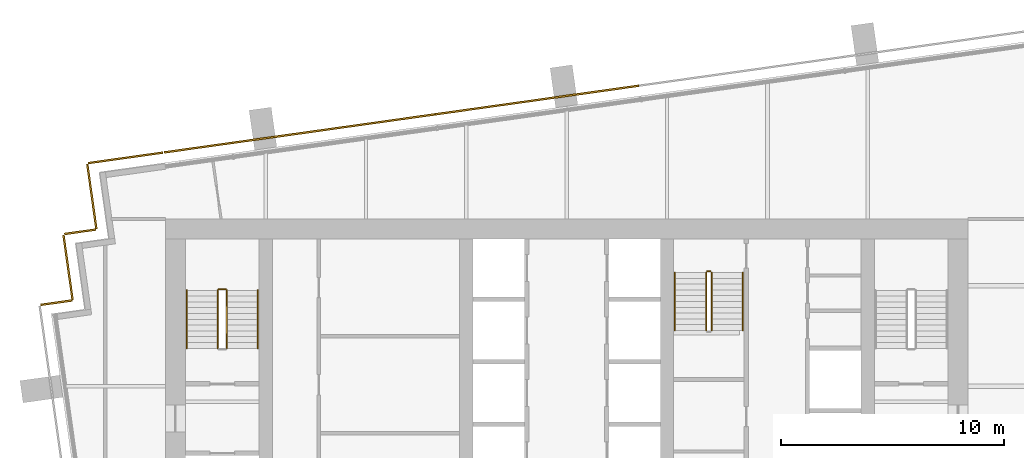
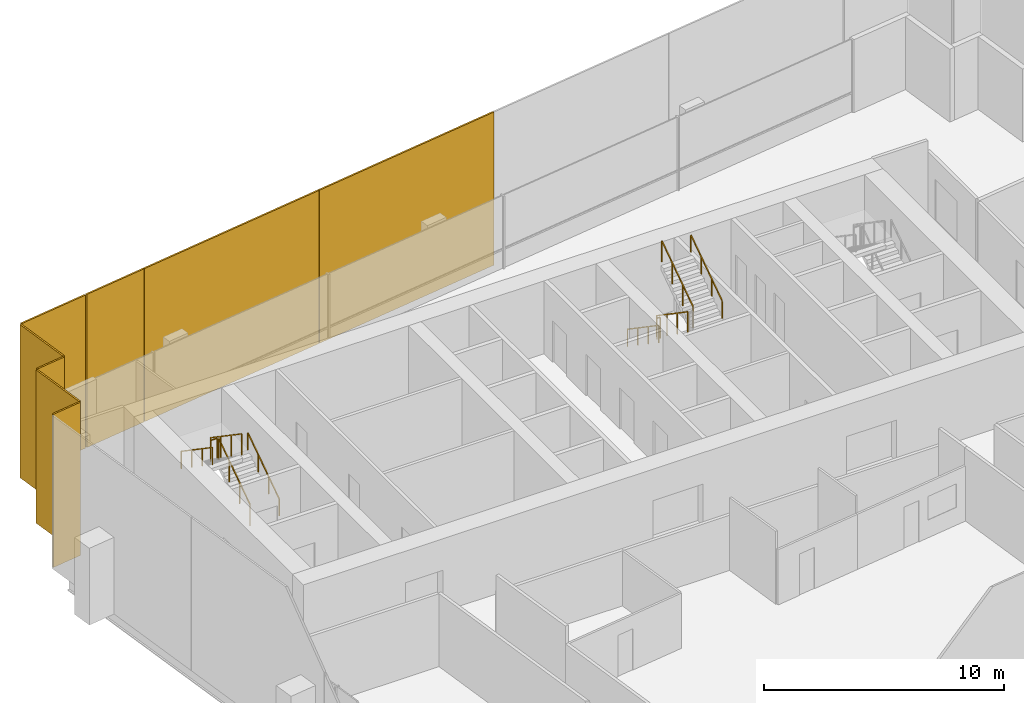
# One storey, part 16 of 17: 10 railings, 8 coverings.
"""IFC4 building model written with IfcOpenShell, lengths in metres."""

from ifc_helpers import new_model, si_unit, direction, frame, origin, origin_2d, place, context, subcontext, project, spatial, rectangle, extrude, material, layer, layer_set, type_object, element, save


model = new_model("IFC4")

# Units and contexts
model_context = context("Model", 3, precision=1e-05, world=origin(), true_north=direction((0.0, 1.0)))
body_context = subcontext(model_context, "Body", "Model", "MODEL_VIEW")
ifc_project = project(units=[si_unit("LENGTHUNIT", "METRE"), si_unit("AREAUNIT", "SQUARE_METRE"), si_unit("VOLUMEUNIT", "CUBIC_METRE"), si_unit("PLANEANGLEUNIT", "RADIAN"), si_unit("MASSUNIT", "GRAM", prefix="KILO")], contexts=[model_context])

# Site, building, storey
site_placement = place(None, origin())
site = spatial("IfcSite", under=ifc_project, at=site_placement, CompositionType="ELEMENT")
building_placement = place(site_placement, origin())
building = spatial("IfcBuilding", under=site, at=building_placement, Name="Rattan Terrace Tower", CompositionType="ELEMENT")
storey_placement = place(building_placement, frame((0.0, 0.0, 213.5)))
storey = spatial("IfcBuildingStorey", under=building, at=storey_placement, Name="L48", CompositionType="ELEMENT", Elevation=213.5)

# Railings
ifc_material_1 = material(Name="Powder-coated steel guard", Category="steel")
railing_type_1 = type_object("IfcRailingType", Name="Core stair guard", PredefinedType="GUARDRAIL", material=ifc_material_1)
railing_1_placement = place(storey_placement, frame((-15.25, 1.699951171875, 0.17724609375)))
element("IfcRailing", 1, at=railing_1_placement, inside=storey, type_object=railing_type_1, Name="L48 S1 stair guard 1", PredefinedType="GUARDRAIL", context=body_context, shape_type="SweptSolid", body=[
    extrude(rectangle(XDim=0.048095703125, YDim=0.048095703125, at=origin_2d()), frame((0.0, 0.0, 1.076171875), z_axis=(0.0, 0.826240473404, 0.563317565952), x_axis=(-1.0, 0.0, 0.0)), (0.0, 0.0, 1.0), 3.14697265625),
    extrude(rectangle(XDim=0.0419921875, YDim=0.0419921875, at=origin_2d()), origin(), (0.0, 0.0, 1.0), 1.052001953125),
    extrude(rectangle(XDim=0.0419921875, YDim=0.0419921875, at=origin_2d()), frame((0.0, 0.86669921875, 0.5908203125)), (0.0, 0.0, 1.0), 1.052001953125),
    extrude(rectangle(XDim=0.0419921875, YDim=0.0419921875, at=origin_2d()), frame((0.0, 1.7333984375, 1.181884765625)), (0.0, 0.0, 1.0), 1.052001953125),
    extrude(rectangle(XDim=0.0419921875, YDim=0.0419921875, at=origin_2d()), frame((0.0, 2.60009765625, 1.772705078125)), (0.0, 0.0, 1.0), 1.052001953125),
])
railing_2_placement = place(storey_placement, frame((-15.300048828125, 4.35009765625, 1.949951171875)))
element("IfcRailing", 2, at=railing_2_placement, inside=storey, type_object=railing_type_1, Name="L48 S1 stair guard 2", PredefinedType="GUARDRAIL", context=body_context, shape_type="SweptSolid", body=[
    extrude(rectangle(XDim=0.048095703125, YDim=0.048095703125, at=origin_2d()), frame((0.0, 0.0, 1.076171875), z_axis=(-1.0, 0.0, 0.0), x_axis=(0.0, -1.0, 0.0)), (0.0, 0.0, 1.0), 0.300048828125),
    extrude(rectangle(XDim=0.0419921875, YDim=0.0419921875, at=origin_2d()), origin(), (0.0, 0.0, 1.0), 1.052001953125),
    extrude(rectangle(XDim=0.0419921875, YDim=0.0419921875, at=origin_2d()), frame((-0.300048828125, 0.0, 0.0)), (0.0, 0.0, 1.0), 1.052001953125),
])
for number, where, name in (
    (3, (-15.64990234375, 4.300048828125, 2.127197265625), "L48 S1 stair guard 3"),
    (4, (6.25, 5.10009765625, 0.17724609375), "L48 S3 stair guard 1"),
):
    element("IfcRailing", number, at=place(storey_placement, frame(where)), inside=storey, type_object=railing_type_1, Name=name, PredefinedType="GUARDRAIL", context=body_context, shape_type="SweptSolid", body=[
        extrude(rectangle(XDim=0.048095703125, YDim=0.048095703125, at=origin_2d()), frame((0.0, 0.0, 1.076171875), z_axis=(0.0, -0.826240473404, 0.563317565952), x_axis=(1.0, 0.0, 0.0)), (0.0, 0.0, 1.0), 3.14697265625),
        extrude(rectangle(XDim=0.0419921875, YDim=0.0419921875, at=origin_2d()), origin(), (0.0, 0.0, 1.0), 1.052001953125),
        extrude(rectangle(XDim=0.0419921875, YDim=0.0419921875, at=origin_2d()), frame((0.0, -0.86669921875, 0.5908203125)), (0.0, 0.0, 1.0), 1.052001953125),
        extrude(rectangle(XDim=0.0419921875, YDim=0.0419921875, at=origin_2d()), frame((0.0, -1.7333984375, 1.181884765625)), (0.0, 0.0, 1.0), 1.052001953125),
        extrude(rectangle(XDim=0.0419921875, YDim=0.0419921875, at=origin_2d()), frame((0.0, -2.60009765625, 1.772705078125)), (0.0, 0.0, 1.0), 1.052001953125),
    ])
railing_3_placement = place(storey_placement, frame((6.5, 2.5, 2.127197265625)))
element("IfcRailing", 5, at=railing_3_placement, inside=storey, type_object=railing_type_1, Name="L48 S3 stair guard 3", PredefinedType="GUARDRAIL", context=body_context, shape_type="SweptSolid", body=[
    extrude(rectangle(XDim=0.048095703125, YDim=0.048095703125, at=origin_2d()), frame((0.0, 0.0, 1.076171875), z_axis=(0.0, 0.826240473404, 0.563317565952), x_axis=(-1.0, 0.0, 0.0)), (0.0, 0.0, 1.0), 3.14697265625),
    extrude(rectangle(XDim=0.0419921875, YDim=0.0419921875, at=origin_2d()), origin(), (0.0, 0.0, 1.0), 1.052001953125),
    extrude(rectangle(XDim=0.0419921875, YDim=0.0419921875, at=origin_2d()), frame((0.0, 0.86669921875, 0.5908203125)), (0.0, 0.0, 1.0), 1.052001953125),
    extrude(rectangle(XDim=0.0419921875, YDim=0.0419921875, at=origin_2d()), frame((0.0, 1.7333984375, 1.181884765625)), (0.0, 0.0, 1.0), 1.052001953125),
    extrude(rectangle(XDim=0.0419921875, YDim=0.0419921875, at=origin_2d()), frame((0.0, 2.60009765625, 1.772705078125)), (0.0, 0.0, 1.0), 1.052001953125),
])
railing_4_placement = place(storey_placement, frame((6.300048828125, 5.14990234375, 0.0)))
element("IfcRailing", 6, at=railing_4_placement, inside=storey, type_object=railing_type_1, Name="L48 S3 stair guard 4", PredefinedType="GUARDRAIL", context=body_context, shape_type="SweptSolid", body=[
    extrude(rectangle(XDim=0.048095703125, YDim=0.048095703125, at=origin_2d()), frame((0.0, 0.0, 1.076171875), z_axis=(1.0, 0.0, 0.0), x_axis=(0.0, 1.0, 0.0)), (0.0, 0.0, 1.0), 0.14990234375),
    extrude(rectangle(XDim=0.0419921875, YDim=0.0419921875, at=origin_2d()), origin(), (0.0, 0.0, 1.0), 1.052001953125),
    extrude(rectangle(XDim=0.0419921875, YDim=0.0419921875, at=origin_2d()), frame((0.14990234375, 0.0, 0.0)), (0.0, 0.0, 1.0), 1.052001953125),
])
ifc_material_2 = material(Name="Powder-coated steel handrail", Category="steel")
railing_type_2 = type_object("IfcRailingType", Name="Core stair handrail", PredefinedType="HANDRAIL", material=ifc_material_2)
railing_5_placement = place(storey_placement, frame((-13.85009765625, 1.699951171875, 0.17724609375)))
element("IfcRailing", 7, at=railing_5_placement, inside=storey, type_object=railing_type_2, Name="L48 S1 stair handrail 1", PredefinedType="HANDRAIL", context=body_context, shape_type="SweptSolid", body=[
    extrude(rectangle(XDim=0.048095703125, YDim=0.048095703125, at=origin_2d()), frame((0.0, 0.0, 0.8759765625), z_axis=(0.0, 0.826240473404, 0.563317565952), x_axis=(-1.0, 0.0, 0.0)), (0.0, 0.0, 1.0), 3.14697265625),
    extrude(rectangle(XDim=0.0419921875, YDim=0.0419921875, at=origin_2d()), origin(), (0.0, 0.0, 1.0), 0.851806640625),
    extrude(rectangle(XDim=0.0419921875, YDim=0.0419921875, at=origin_2d()), frame((0.0, 0.86669921875, 0.5908203125)), (0.0, 0.0, 1.0), 0.851806640625),
    extrude(rectangle(XDim=0.0419921875, YDim=0.0419921875, at=origin_2d()), frame((0.0, 1.7333984375, 1.181884765625)), (0.0, 0.0, 1.0), 0.851806640625),
    extrude(rectangle(XDim=0.0419921875, YDim=0.0419921875, at=origin_2d()), frame((0.0, 2.60009765625, 1.772705078125)), (0.0, 0.0, 1.0), 0.851806640625),
])
for number, where, name in (
    (8, (-17.050048828125, 4.300048828125, 2.127197265625), "L48 S1 stair handrail 2"),
    (9, (4.85009765625, 5.10009765625, 0.17724609375), "L48 S3 stair handrail 1"),
):
    element("IfcRailing", number, at=place(storey_placement, frame(where)), inside=storey, type_object=railing_type_2, Name=name, PredefinedType="HANDRAIL", context=body_context, shape_type="SweptSolid", body=[
        extrude(rectangle(XDim=0.048095703125, YDim=0.048095703125, at=origin_2d()), frame((0.0, 0.0, 0.8759765625), z_axis=(0.0, -0.826240473404, 0.563317565952), x_axis=(1.0, 0.0, 0.0)), (0.0, 0.0, 1.0), 3.14697265625),
        extrude(rectangle(XDim=0.0419921875, YDim=0.0419921875, at=origin_2d()), origin(), (0.0, 0.0, 1.0), 0.851806640625),
        extrude(rectangle(XDim=0.0419921875, YDim=0.0419921875, at=origin_2d()), frame((0.0, -0.86669921875, 0.5908203125)), (0.0, 0.0, 1.0), 0.851806640625),
        extrude(rectangle(XDim=0.0419921875, YDim=0.0419921875, at=origin_2d()), frame((0.0, -1.7333984375, 1.181884765625)), (0.0, 0.0, 1.0), 0.851806640625),
        extrude(rectangle(XDim=0.0419921875, YDim=0.0419921875, at=origin_2d()), frame((0.0, -2.60009765625, 1.772705078125)), (0.0, 0.0, 1.0), 0.851806640625),
    ])
railing_6_placement = place(storey_placement, frame((7.89990234375, 2.5, 2.127197265625)))
element("IfcRailing", 10, at=railing_6_placement, inside=storey, type_object=railing_type_2, Name="L48 S3 stair handrail 2", PredefinedType="HANDRAIL", context=body_context, shape_type="SweptSolid", body=[
    extrude(rectangle(XDim=0.048095703125, YDim=0.048095703125, at=origin_2d()), frame((0.0, 0.0, 0.8759765625), z_axis=(0.0, 0.826240473404, 0.563317565952), x_axis=(-1.0, 0.0, 0.0)), (0.0, 0.0, 1.0), 3.14697265625),
    extrude(rectangle(XDim=0.0419921875, YDim=0.0419921875, at=origin_2d()), origin(), (0.0, 0.0, 1.0), 0.851806640625),
    extrude(rectangle(XDim=0.0419921875, YDim=0.0419921875, at=origin_2d()), frame((0.0, 0.86669921875, 0.5908203125)), (0.0, 0.0, 1.0), 0.851806640625),
    extrude(rectangle(XDim=0.0419921875, YDim=0.0419921875, at=origin_2d()), frame((0.0, 1.7333984375, 1.181884765625)), (0.0, 0.0, 1.0), 0.851806640625),
    extrude(rectangle(XDim=0.0419921875, YDim=0.0419921875, at=origin_2d()), frame((0.0, 2.60009765625, 1.772705078125)), (0.0, 0.0, 1.0), 0.851806640625),
])

# Coverings
ifc_material_3 = material(Name="Perforated terracotta", Category="masonry")
ifc_layer = layer(ifc_material_3, 0.080078125)
ifc_layer_set = layer_set([ifc_layer], Name="Facade Terracotta Screen Panel HZ")
covering_type = type_object("IfcCoveringType", Name="Facade Terracotta Screen Panel HZ", PredefinedType="CLADDING", material=ifc_layer_set)
for number, where, z_axis, x_axis, name in (
    (11, (-1.325927734375, 12.837646484375, -0.18994140625), (0.0, 0.0, 1.0), (-0.990267457022, -0.139177453499, 0.0), "OUTER SKIN panel L48-16"),
    (12, (-10.467041015625, 11.552978515625, -0.18994140625), (0.0, 0.0, 1.0), (-0.990267457022, -0.139177453499, 0.0), "OUTER SKIN panel L48-17"),
):
    element("IfcCovering", number, at=place(storey_placement, frame(where, z_axis=z_axis, x_axis=x_axis)), inside=storey, type_object=covering_type, Name=name, PredefinedType="CLADDING", context=body_context, shape_type="SweptSolid", body=[
        extrude(rectangle(XDim=9.2109375, YDim=0.080078125, at=origin_2d()), origin(), (0.0, 0.0, 1.0), 7.780029296875),
    ])
covering_1_placement = place(storey_placement, frame((-16.54541015625, 10.69873046875, -0.18994140625), z_axis=(0.0, 0.0, 1.0), x_axis=(-0.990267457022, -0.139177453499, 0.0)))
element("IfcCovering", 13, at=covering_1_placement, inside=storey, type_object=covering_type, Name="OUTER SKIN panel L48-18", PredefinedType="CLADDING", context=body_context, shape_type="SweptSolid", body=[
    extrude(rectangle(XDim=3.025390625, YDim=0.080078125, at=origin_2d()), origin(), (0.0, 0.0, 1.0), 7.780029296875),
])
covering_2_placement = place(storey_placement, frame((-19.791259765625, 10.2421875, -0.18994140625), z_axis=(0.0, 0.0, 1.0), x_axis=(-0.990247240581, -0.139321220646, 0.0)))
element("IfcCovering", 14, at=covering_2_placement, inside=storey, type_object=covering_type, Name="OUTER SKIN panel L48-19", PredefinedType="CLADDING", context=body_context, shape_type="SweptSolid", body=[
    extrude(rectangle(XDim=3.3701171875, YDim=0.080078125, at=origin_2d()), origin(), (0.0, 0.0, 1.0), 7.780029296875),
])
covering_3_placement = place(storey_placement, frame((-21.299560546875, 8.505126953125, -0.18994140625), z_axis=(0.0, 0.0, 1.0), x_axis=(0.138994363123, -0.990293172258, 0.0)))
element("IfcCovering", 15, at=covering_3_placement, inside=storey, type_object=covering_type, Name="OUTER SKIN panel L48-20", PredefinedType="CLADDING", context=body_context, shape_type="SweptSolid", body=[
    extrude(rectangle(XDim=2.919921875, YDim=0.080078125, at=origin_2d()), origin(), (0.0, 0.0, 1.0), 7.780029296875),
])
covering_4_placement = place(storey_placement, frame((-21.8251953125, 6.927001953125, -0.18994140625), z_axis=(0.0, 0.0, 1.0), x_axis=(-0.990332587523, -0.138713251317, 0.0)))
element("IfcCovering", 16, at=covering_4_placement, inside=storey, type_object=covering_type, Name="OUTER SKIN panel L48-21", PredefinedType="CLADDING", context=body_context, shape_type="SweptSolid", body=[
    extrude(rectangle(XDim=1.419677734375, YDim=0.080078125, at=origin_2d()), origin(), (0.0, 0.0, 1.0), 7.780029296875),
])
covering_5_placement = place(storey_placement, frame((-22.3671875, 5.326171875, -0.18994140625), z_axis=(0.0, 0.0, 1.0), x_axis=(0.139321220646, -0.990247240581, 0.0)))
element("IfcCovering", 17, at=covering_5_placement, inside=storey, type_object=covering_type, Name="OUTER SKIN panel L48-22", PredefinedType="CLADDING", context=body_context, shape_type="SweptSolid", body=[
    extrude(rectangle(XDim=2.92041015625, YDim=0.080078125, at=origin_2d()), origin(), (0.0, 0.0, 1.0), 7.780029296875),
])
covering_6_placement = place(storey_placement, frame((-22.892578125, 3.747314453125, -0.18994140625), z_axis=(0.0, 0.0, 1.0), x_axis=(-0.99025370695, -0.139275252184, 0.0)))
element("IfcCovering", 18, at=covering_6_placement, inside=storey, type_object=covering_type, Name="OUTER SKIN panel L48-23", PredefinedType="CLADDING", context=body_context, shape_type="SweptSolid", body=[
    extrude(rectangle(XDim=1.420654296875, YDim=0.080078125, at=origin_2d()), origin(), (0.0, 0.0, 1.0), 7.780029296875),
])

save(model, "model.ifc")
